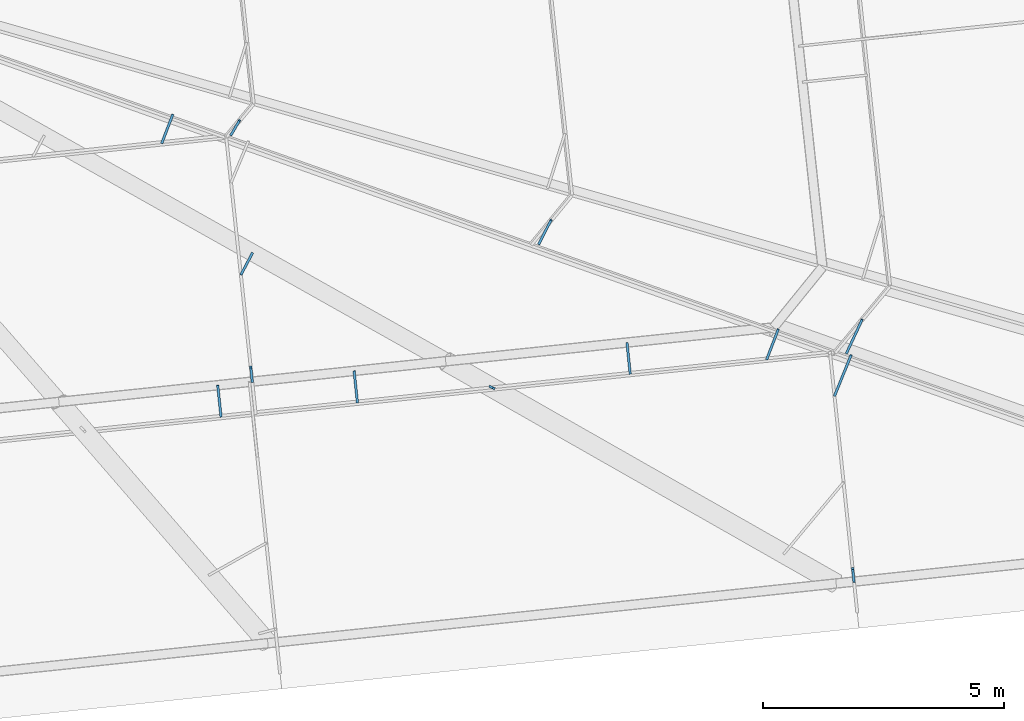
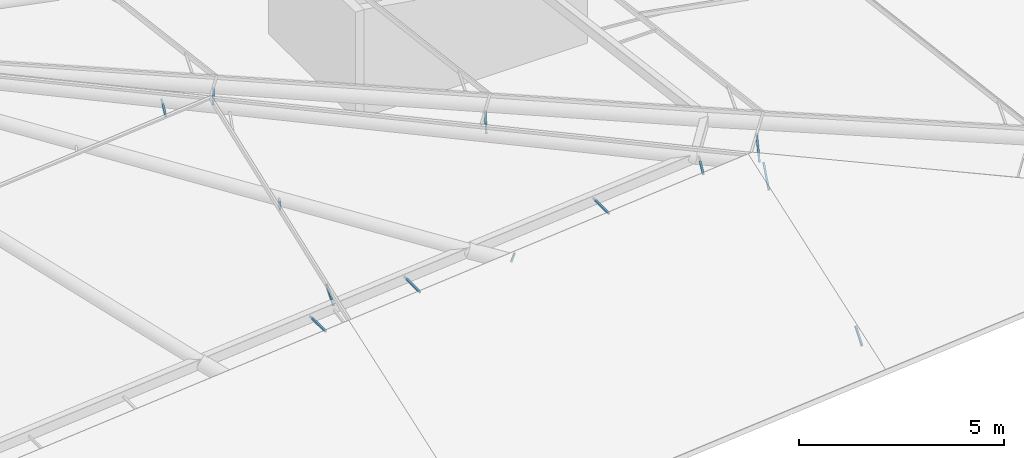
# One storey, part 14 of 20: 13 discrete accessories.
"""IFC4 building model written with IfcOpenShell, lengths in metres."""

from ifc_helpers import new_model, si_unit, direction, frame, origin, origin_2d, place, context, subcontext, project, spatial, rectangle, extrude, material, material_profile, profile_set, type_object, element, save


model = new_model("IFC4")

# Units and contexts
model_context = context("Model", 3, precision=1e-05, world=origin(), true_north=direction((0.0, 1.0)))
body_context = subcontext(model_context, "Body", "Model", "MODEL_VIEW")
ifc_project = project(units=[si_unit("LENGTHUNIT", "METRE"), si_unit("AREAUNIT", "SQUARE_METRE"), si_unit("VOLUMEUNIT", "CUBIC_METRE"), si_unit("PLANEANGLEUNIT", "RADIAN"), si_unit("MASSUNIT", "GRAM", prefix="KILO")], contexts=[model_context])

# Site, building, storey
site_placement = place(None, origin())
site = spatial("IfcSite", under=ifc_project, at=site_placement, CompositionType="ELEMENT")
building_placement = place(site_placement, origin())
building = spatial("IfcBuilding", under=site, at=building_placement, Name="Hakoniwa Tower and Hamabe Station Hall", CompositionType="ELEMENT")
storey_placement = place(building_placement, frame((0.0, 0.0, 285.0)))
storey = spatial("IfcBuildingStorey", under=building, at=storey_placement, Name="Roof", CompositionType="ELEMENT", Elevation=285.0)

# Discrete accessories
ifc_material = material(Name="Stainless steel SUS304", Category="steel")
ifc_material_profile = material_profile(ifc_material, rectangle(XDim=0.050048828125, YDim=0.050048828125, at=origin_2d()), Name="CW-4 GLAZING BRACKET 50X50")
ifc_profile_set = profile_set([ifc_material_profile], Name="Stainless steel SUS304")
discrete_accessory_type = type_object("IfcDiscreteAccessoryType", Name="CW-4 GLAZING BRACKET 50X50", PredefinedType="BRACKET", material=ifc_profile_set)
discrete_accessory_1_placement = place(storey_placement, frame((12.95751953125, -4.840087890625, 4.818359375), z_axis=(0.466679955828, 0.881248092061, -0.074910740666), x_axis=(-0.883731161791, 0.467994907749, 0.0)))
element("IfcDiscreteAccessory", 1, at=discrete_accessory_1_placement, inside=storey, type_object=discrete_accessory_type, Name="Glazing bracket", PredefinedType="BRACKET", context=body_context, shape_type="SweptSolid", body=[
    extrude(rectangle(XDim=0.050048828125, YDim=0.050048828125, at=origin_2d()), origin(), (0.0, 0.0, 1.0), 0.524658203125),
])
discrete_accessory_2_placement = place(storey_placement, frame((13.161865234375, -6.7568359375, 3.687744140625), z_axis=(0.055273327849, -0.524671435119, -0.849508531092), x_axis=(0.994496617459, 0.104768687415, 0.0)))
element("IfcDiscreteAccessory", 2, at=discrete_accessory_2_placement, inside=storey, type_object=discrete_accessory_type, Name="Glazing bracket", PredefinedType="BRACKET", context=body_context, shape_type="SweptSolid", body=[
    extrude(rectangle(XDim=0.050048828125, YDim=0.050048828125, at=origin_2d()), origin(), (0.0, 0.0, 1.0), 0.57421875),
])
discrete_accessory_3_placement = place(storey_placement, frame((25.295654296875, -7.35693359375, 2.616943359375), z_axis=(0.370115563922, 0.911334587979, 0.180232455722), x_axis=(-0.926507025332, 0.376277466785, 0.0)))
element("IfcDiscreteAccessory", 3, at=discrete_accessory_3_placement, inside=storey, type_object=discrete_accessory_type, Name="Glazing bracket", PredefinedType="BRACKET", context=body_context, shape_type="SweptSolid", body=[
    extrude(rectangle(XDim=0.050048828125, YDim=0.050048828125, at=origin_2d()), origin(), (0.0, 0.0, 1.0), 0.93603515625),
])
discrete_accessory_4_placement = place(storey_placement, frame((25.672607421875, -10.94384765625, 0.595458984375), z_axis=(0.054691924927, -0.51887210828, -0.853100538388), x_axis=(0.994490715338, 0.104824697022, 0.0)))
element("IfcDiscreteAccessory", 4, at=discrete_accessory_4_placement, inside=storey, type_object=discrete_accessory_type, Name="Glazing bracket", PredefinedType="BRACKET", context=body_context, shape_type="SweptSolid", body=[
    extrude(rectangle(XDim=0.050048828125, YDim=0.050048828125, at=origin_2d()), origin(), (0.0, 0.0, 1.0), 0.522216796875),
])
discrete_accessory_5_placement = place(storey_placement, frame((12.931396484375, -1.626220703125, 6.513427734375), z_axis=(-0.406659501111, -0.693484824541, -0.594732585527), x_axis=(0.862625286918, -0.505843468249, 0.0)))
element("IfcDiscreteAccessory", 5, at=discrete_accessory_5_placement, inside=storey, type_object=discrete_accessory_type, Name="Glazing bracket", PredefinedType="BRACKET", context=body_context, shape_type="SweptSolid", body=[
    extrude(rectangle(XDim=0.050048828125, YDim=0.050048828125, at=origin_2d()), origin(), (0.0, 0.0, 1.0), 0.43994140625),
])
discrete_accessory_6_placement = place(storey_placement, frame((19.4052734375, -3.69873046875, 4.8134765625), z_axis=(-0.404713671327, -0.789807193188, -0.460881158032), x_axis=(0.889961840808, -0.456035000745, 0.0)))
element("IfcDiscreteAccessory", 6, at=discrete_accessory_6_placement, inside=storey, type_object=discrete_accessory_type, Name="Glazing bracket", PredefinedType="BRACKET", context=body_context, shape_type="SweptSolid", body=[
    extrude(rectangle(XDim=0.050048828125, YDim=0.050048828125, at=origin_2d()), origin(), (0.0, 0.0, 1.0), 0.634521484375),
])
discrete_accessory_7_placement = place(storey_placement, frame((25.870361328125, -5.7666015625, 3.104248046875), z_axis=(-0.392862720631, -0.848500954761, -0.354549026946), x_axis=(0.907451329138, -0.420157214915, 0.0)))
element("IfcDiscreteAccessory", 7, at=discrete_accessory_7_placement, inside=storey, type_object=discrete_accessory_type, Name="Glazing bracket", PredefinedType="BRACKET", context=body_context, shape_type="SweptSolid", body=[
    extrude(rectangle(XDim=0.050048828125, YDim=0.050048828125, at=origin_2d()), origin(), (0.0, 0.0, 1.0), 0.828369140625),
])
discrete_accessory_8_placement = place(storey_placement, frame((11.3125, -2.10595703125, 6.5146484375), z_axis=(0.356234668218, 0.929144277188, 0.098933176073), x_axis=(-0.933725058273, 0.357990943395, 0.0)))
element("IfcDiscreteAccessory", 8, at=discrete_accessory_8_placement, inside=storey, type_object=discrete_accessory_type, Name="Glazing bracket", PredefinedType="BRACKET", context=body_context, shape_type="SweptSolid", body=[
    extrude(rectangle(XDim=0.050048828125, YDim=0.050048828125, at=origin_2d()), origin(), (0.0, 0.0, 1.0), 0.64892578125),
])
discrete_accessory_9_placement = place(storey_placement, frame((12.545654296875, -7.795166015625, 3.106689453125), z_axis=(-0.103576467532, 0.984885007061, 0.138828809113), x_axis=(-0.994515502578, -0.104589268721, 0.0)))
element("IfcDiscreteAccessory", 9, at=discrete_accessory_9_placement, inside=storey, type_object=discrete_accessory_type, Name="Glazing bracket", PredefinedType="BRACKET", context=body_context, shape_type="SweptSolid", body=[
    extrude(rectangle(XDim=0.050048828125, YDim=0.050048828125, at=origin_2d()), origin(), (0.0, 0.0, 1.0), 0.671875),
])
discrete_accessory_10_placement = place(storey_placement, frame((15.38037109375, -7.497314453125, 3.106689453125), z_axis=(-0.103539407155, 0.984895904549, 0.138779135204), x_axis=(-0.994519514743, -0.104551110919, 0.0)))
element("IfcDiscreteAccessory", 10, at=discrete_accessory_10_placement, inside=storey, type_object=discrete_accessory_type, Name="Glazing bracket", PredefinedType="BRACKET", context=body_context, shape_type="SweptSolid", body=[
    extrude(rectangle(XDim=0.050048828125, YDim=0.050048828125, at=origin_2d()), origin(), (0.0, 0.0, 1.0), 0.672119140625),
])
discrete_accessory_11_placement = place(storey_placement, frame((18.21484375, -7.19921875, 3.106689453125), z_axis=(-0.278875838029, 0.136703842171, -0.950547382564), x_axis=(-0.440157217023, -0.897920722727, 0.0)))
element("IfcDiscreteAccessory", 11, at=discrete_accessory_11_placement, inside=storey, type_object=discrete_accessory_type, Name="Glazing bracket", PredefinedType="BRACKET", context=body_context, shape_type="SweptSolid", body=[
    extrude(rectangle(XDim=0.050048828125, YDim=0.050048828125, at=origin_2d()), origin(), (0.0, 0.0, 1.0), 0.267822265625),
])
discrete_accessory_12_placement = place(storey_placement, frame((21.049560546875, -6.9013671875, 3.106689453125), z_axis=(-0.101682074543, 0.984884498194, 0.140225821211), x_axis=(-0.994712709507, -0.102696765014, 0.0)))
element("IfcDiscreteAccessory", 12, at=discrete_accessory_12_placement, inside=storey, type_object=discrete_accessory_type, Name="Glazing bracket", PredefinedType="BRACKET", context=body_context, shape_type="SweptSolid", body=[
    extrude(rectangle(XDim=0.050048828125, YDim=0.050048828125, at=origin_2d()), origin(), (0.0, 0.0, 1.0), 0.6650390625),
])
discrete_accessory_13_placement = place(storey_placement, frame((23.884033203125, -6.603515625, 3.106689453125), z_axis=(0.355880427065, 0.929203795067, 0.099646519578), x_axis=(-0.933851668388, 0.357660539406, 0.0)))
element("IfcDiscreteAccessory", 13, at=discrete_accessory_13_placement, inside=storey, type_object=discrete_accessory_type, Name="Glazing bracket", PredefinedType="BRACKET", context=body_context, shape_type="SweptSolid", body=[
    extrude(rectangle(XDim=0.050048828125, YDim=0.050048828125, at=origin_2d()), origin(), (0.0, 0.0, 1.0), 0.68603515625),
])

save(model, "model.ifc")
